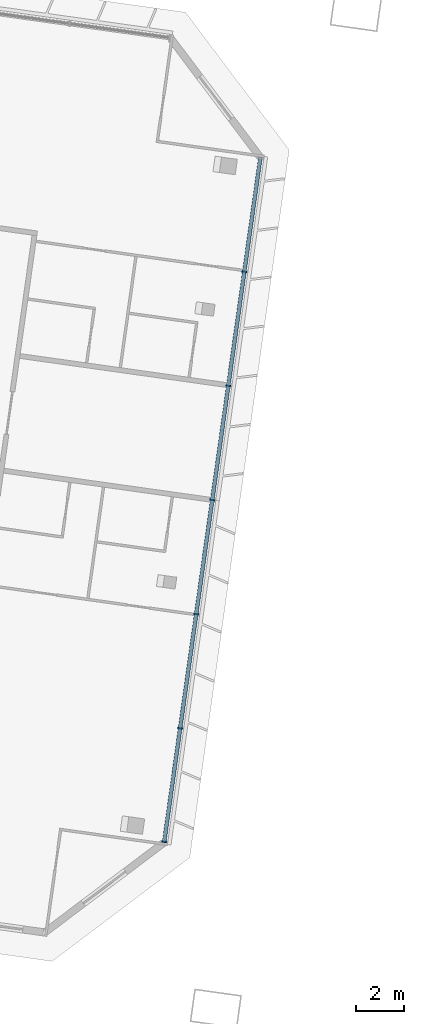
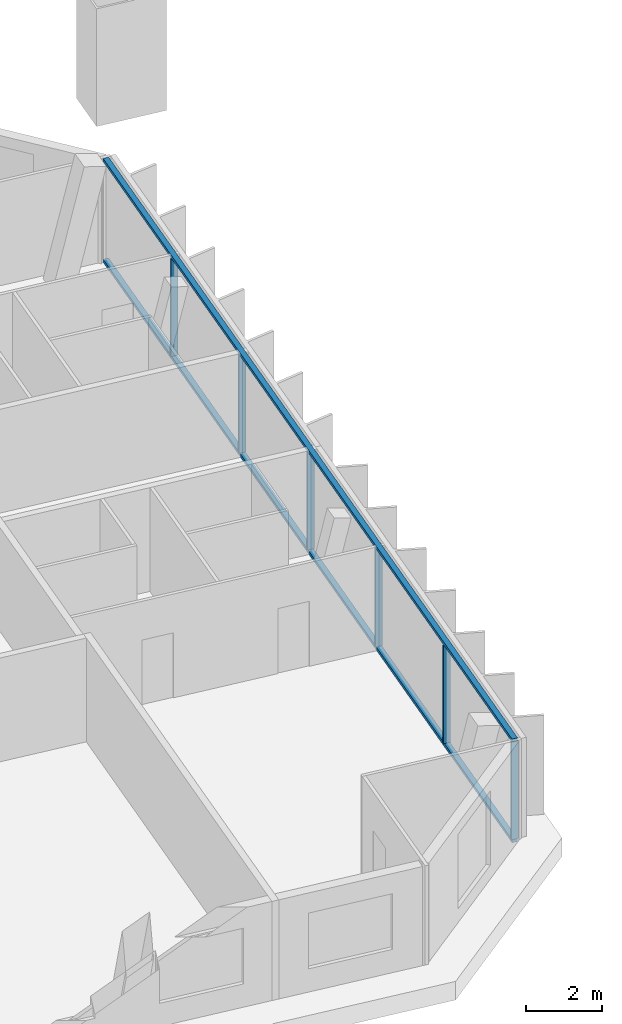
# One storey, part 3 of 17: 8 members, 1 element without a shape of its own.
"""IFC4 building model written with IfcOpenShell, lengths in metres."""

from ifc_helpers import new_model, si_unit, direction, frame, origin, origin_2d, place, context, subcontext, project, spatial, rectangle, extrude, material, material_profile, profile_set, type_object, element, aggregate, save


model = new_model("IFC4")

# Units and contexts
model_context = context("Model", 3, precision=1e-05, world=origin(), true_north=direction((0.0, 1.0)))
body_context = subcontext(model_context, "Body", "Model", "MODEL_VIEW")
ifc_project = project(units=[si_unit("LENGTHUNIT", "METRE"), si_unit("AREAUNIT", "SQUARE_METRE"), si_unit("VOLUMEUNIT", "CUBIC_METRE"), si_unit("PLANEANGLEUNIT", "RADIAN"), si_unit("MASSUNIT", "GRAM", prefix="KILO")], contexts=[model_context])

# Site, building, storey
site_placement = place(None, origin())
site = spatial("IfcSite", under=ifc_project, at=site_placement, CompositionType="ELEMENT")
building_placement = place(site_placement, origin())
building = spatial("IfcBuilding", under=site, at=building_placement, Name="Mirante Cascada Hotel Towers", CompositionType="ELEMENT")
storey_placement = place(building_placement, frame((0.0, 0.0, 250.8)))
storey = spatial("IfcBuildingStorey", under=building, at=storey_placement, Name="L60", CompositionType="ELEMENT", Elevation=250.8)

# Curtain wall, members
ifc_material_1 = material(Name="Aluminium mullion and transom frame with clear laminated glass", Category="aluminium")
curtain_wall_type = type_object("IfcCurtainWallType", Name="End ribbon curtain wall ECW2", PredefinedType="NOTDEFINED", material=ifc_material_1)
curtain_wall_placement = place(storey_placement, origin())
curtain_wall = element("IfcCurtainWall", 1, at=curtain_wall_placement, inside=storey, type_object=curtain_wall_type, Name="Inner end wall T1 L60", PredefinedType="NOTDEFINED")
ifc_material_2 = material(Name="Anodised aluminium extrusion", Category="aluminium")
ifc_material_profile_1 = material_profile(ifc_material_2, rectangle(XDim=0.2, YDim=0.065, at=origin_2d()), Name="ECW2 MULLION 65x200")
ifc_profile_set_1 = profile_set([ifc_material_profile_1], Name="Anodised aluminium extrusion")
member_type_1 = type_object("IfcMemberType", Name="ECW2 mullion 65x200", PredefinedType="MULLION", material=ifc_profile_set_1)
member_1_placement = place(storey_placement, frame((-17.0882, 5.9052, 0.1), z_axis=(0.0, 0.0, 1.0), x_axis=(0.9902681, -0.1391731, 0.0)))
member_1 = element("IfcMember", 2, at=member_1_placement, type_object=member_type_1, Name="ECW2 mullion 2", PredefinedType="MULLION", context=body_context, shape_type="SweptSolid", body=[
    extrude(rectangle(XDim=0.2, YDim=0.065, at=origin_2d()), origin(), (0.0, 0.0, 1.0), 3.15),
])
member_2_placement = place(storey_placement, frame((-17.758, 1.1394, 0.1), z_axis=(0.0, 0.0, 1.0), x_axis=(0.9902681, -0.1391731, 0.0)))
member_2 = element("IfcMember", 3, at=member_2_placement, type_object=member_type_1, Name="ECW2 mullion 3", PredefinedType="MULLION", context=body_context, shape_type="SweptSolid", body=[
    extrude(rectangle(XDim=0.2, YDim=0.065, at=origin_2d()), origin(), (0.0, 0.0, 1.0), 3.15),
])
member_3_placement = place(storey_placement, frame((-18.4278, -3.6264, 0.1), z_axis=(0.0, 0.0, 1.0), x_axis=(0.9902681, -0.1391731, 0.0)))
member_3 = element("IfcMember", 4, at=member_3_placement, type_object=member_type_1, Name="ECW2 mullion 4", PredefinedType="MULLION", context=body_context, shape_type="SweptSolid", body=[
    extrude(rectangle(XDim=0.2, YDim=0.065, at=origin_2d()), origin(), (0.0, 0.0, 1.0), 3.15),
])
member_4_placement = place(storey_placement, frame((-19.0976, -8.3922, 0.1), z_axis=(0.0, 0.0, 1.0), x_axis=(0.9902681, -0.1391731, 0.0)))
member_4 = element("IfcMember", 5, at=member_4_placement, type_object=member_type_1, Name="ECW2 mullion 5", PredefinedType="MULLION", context=body_context, shape_type="SweptSolid", body=[
    extrude(rectangle(XDim=0.2, YDim=0.065, at=origin_2d()), origin(), (0.0, 0.0, 1.0), 3.15),
])
member_5_placement = place(storey_placement, frame((-19.7674, -13.1579, 0.1), z_axis=(0.0, 0.0, 1.0), x_axis=(0.9902681, -0.1391731, 0.0)))
member_5 = element("IfcMember", 6, at=member_5_placement, type_object=member_type_1, Name="ECW2 mullion 6", PredefinedType="MULLION", context=body_context, shape_type="SweptSolid", body=[
    extrude(rectangle(XDim=0.2, YDim=0.065, at=origin_2d()), origin(), (0.0, 0.0, 1.0), 3.15),
])
member_6_placement = place(storey_placement, frame((-20.4326, -17.8915, 0.1), z_axis=(0.0, 0.0, 1.0), x_axis=(0.9902681, -0.1391731, 0.0)))
member_6 = element("IfcMember", 7, at=member_6_placement, type_object=member_type_1, Name="ECW2 mullion 7", PredefinedType="MULLION", context=body_context, shape_type="SweptSolid", body=[
    extrude(rectangle(XDim=0.2, YDim=0.065, at=origin_2d()), origin(), (0.0, 0.0, 1.0), 3.15),
])
ifc_material_3 = material(Name="Anodised aluminium extrusion", Category="aluminium")
ifc_material_profile_2 = material_profile(ifc_material_3, rectangle(XDim=0.16, YDim=0.1, at=origin_2d()), Name="ECW2 TRANSOM 100x160")
ifc_profile_set_2 = profile_set([ifc_material_profile_2], Name="Anodised aluminium extrusion")
member_type_2 = type_object("IfcMemberType", Name="ECW2 transom 100x160", PredefinedType="USERDEFINED", material=ifc_profile_set_2)
member_7_placement = place(storey_placement, frame((-16.4184, 10.671, 0.05), z_axis=(-0.1391723, -0.9902682, 0.0), x_axis=(0.9902682, -0.1391723, 0.0)))
member_7 = element("IfcMember", 8, at=member_7_placement, type_object=member_type_2, Name="ECW2 sill transom", ObjectType="TRANSOM", PredefinedType="USERDEFINED", context=body_context, shape_type="SweptSolid", body=[
    extrude(rectangle(XDim=0.16, YDim=0.1, at=origin_2d()), origin(), (0.0, 0.0, 1.0), 28.8757),
])
member_8_placement = place(storey_placement, frame((-16.4184, 10.671, 3.3), z_axis=(-0.1391723, -0.9902682, 0.0), x_axis=(0.9902682, -0.1391723, 0.0)))
member_8 = element("IfcMember", 9, at=member_8_placement, type_object=member_type_2, Name="ECW2 head transom", ObjectType="TRANSOM", PredefinedType="USERDEFINED", context=body_context, shape_type="SweptSolid", body=[
    extrude(rectangle(XDim=0.16, YDim=0.1, at=origin_2d()), origin(), (0.0, 0.0, 1.0), 28.8757),
])
aggregate(curtain_wall, [member_7, member_8, member_1, member_2, member_3, member_4, member_5, member_6])

save(model, "model.ifc")
